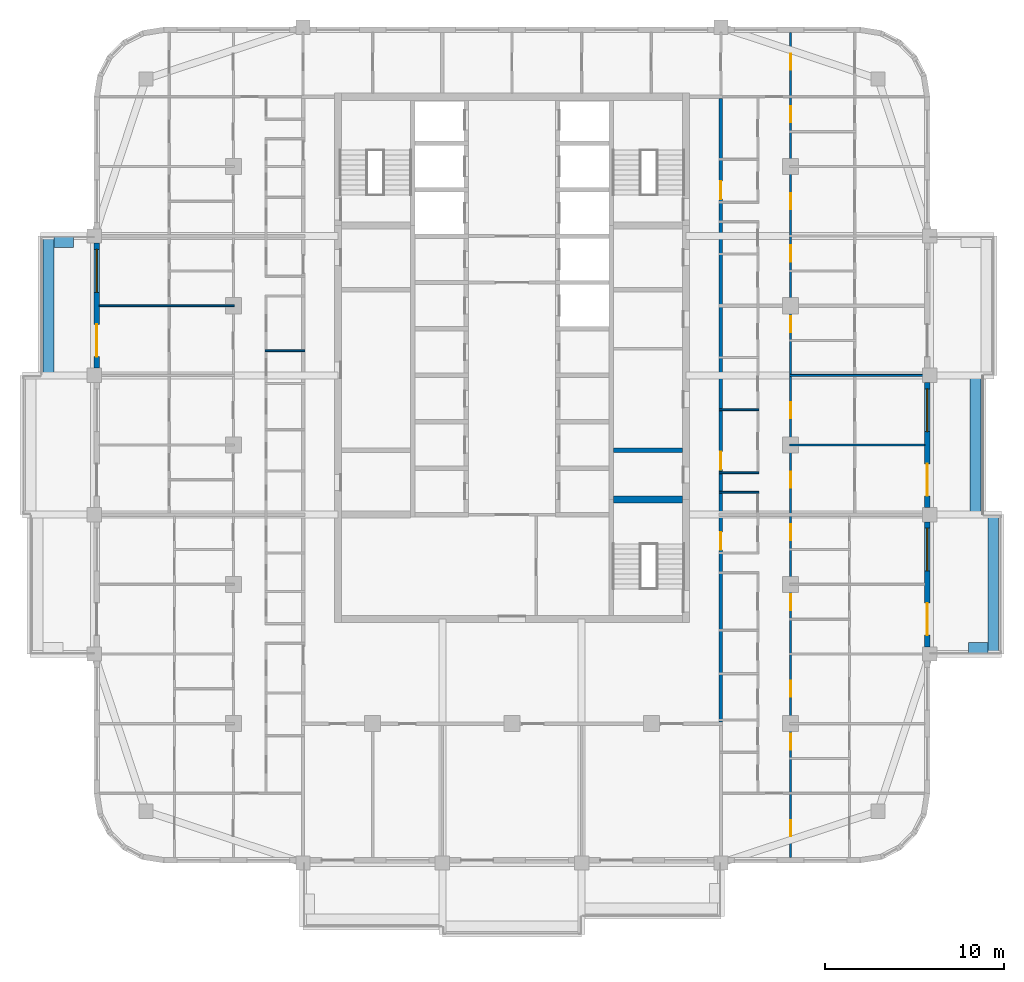
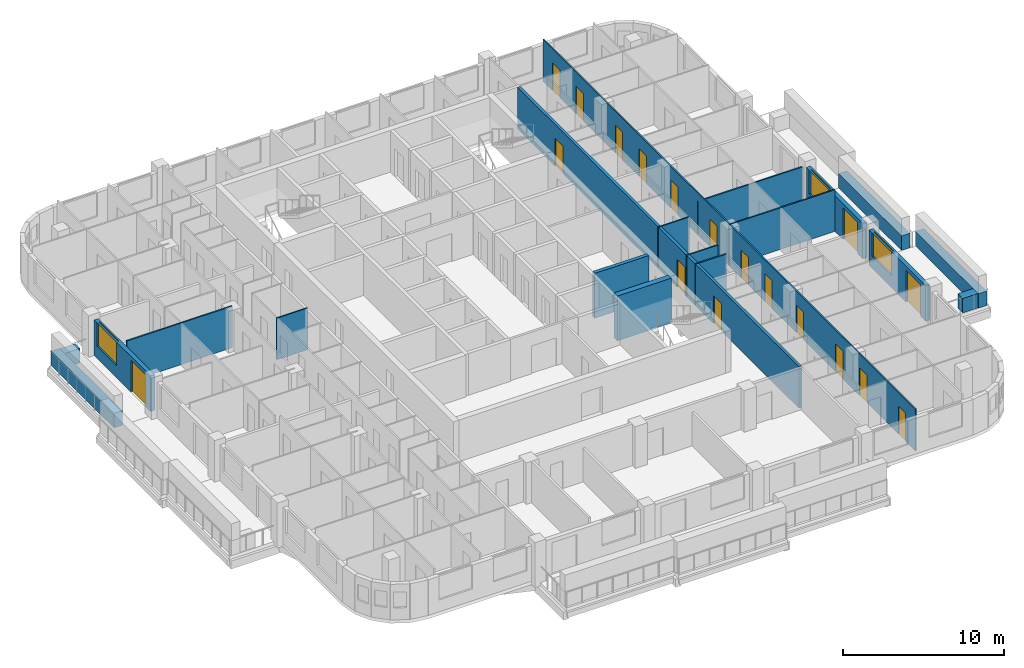
# One storey, part 7 of 16: 19 walls, 18 doors, 3 windows, 21 openings.
"""IFC4 building model written with IfcOpenShell, lengths in metres."""

from ifc_helpers import new_model, si_unit, direction, frame, frame_2d, origin, place, context, subcontext, project, spatial, rectangle, extrude, material, layer, layer_set, type_object, element, fill, save


model = new_model("IFC4")

# Units and contexts
model_context = context("Model", 3, precision=1e-05, world=origin(), true_north=direction((0.0, 1.0)))
body_context = subcontext(model_context, "Body", "Model", "MODEL_VIEW")
ifc_project = project(units=[si_unit("LENGTHUNIT", "METRE"), si_unit("AREAUNIT", "SQUARE_METRE"), si_unit("VOLUMEUNIT", "CUBIC_METRE"), si_unit("PLANEANGLEUNIT", "RADIAN"), si_unit("MASSUNIT", "GRAM", prefix="KILO")], contexts=[model_context])

# Site, building, storey
site_placement = place(None, origin())
site = spatial("IfcSite", under=ifc_project, at=site_placement, CompositionType="ELEMENT")
building_placement = place(site_placement, origin())
building = spatial("IfcBuilding", under=site, at=building_placement, Name="Ludao Terraces", CompositionType="ELEMENT")
storey_placement = place(building_placement, frame((0.0, 0.0, 207.5)))
storey = spatial("IfcBuildingStorey", under=building, at=storey_placement, Name="L56", CompositionType="ELEMENT", Elevation=207.5)

# Walls
ifc_material_1 = material(Name="Concrete C40", Category="concrete")
ifc_layer_1 = layer(ifc_material_1, 0.60009765625)
ifc_layer_set_1 = layer_set([ifc_layer_1], Name="ENV Planter trough 600")
wall_type_1 = type_object("IfcWallType", Name="ENV Planter trough 600", PredefinedType="USERDEFINED", material=ifc_layer_set_1)
wall_1_placement = place(storey_placement, frame((111.949951171875, 53.300048828125, 0.0), z_axis=(0.0, 0.0, 1.0), x_axis=(0.0, 1.0, 0.0)))
element("IfcWall", 1, at=wall_1_placement, inside=storey, type_object=wall_type_1, Name="PL-L56-E1", ObjectType="PLANTER", PredefinedType="USERDEFINED", context=body_context, shape_type="SweptSolid", body=[
    extrude(rectangle(XDim=7.800048828125, YDim=0.60009765625, at=frame_2d((3.89990234375, 0.0))), origin(), (0.0, 0.0, 1.0), 1.10009765625),
])
wall_2_placement = place(storey_placement, frame((111.64990234375, 53.64990234375, 0.0), z_axis=(0.0, 0.0, 1.0), x_axis=(-1.0, 0.0, 0.0)))
element("IfcWall", 2, at=wall_2_placement, inside=storey, type_object=wall_type_1, Name="PL-L56-E1-SA", ObjectType="PLANTER", PredefinedType="USERDEFINED", context=body_context, shape_type="SweptSolid", body=[
    extrude(rectangle(XDim=1.099853515625, YDim=0.60009765625, at=frame_2d((0.5498046875, 0.0))), origin(), (0.0, 0.0, 1.0), 1.10009765625),
])
wall_3_placement = place(storey_placement, frame((110.949951171875, 61.10009765625, 0.0), z_axis=(0.0, 0.0, 1.0), x_axis=(0.0, 1.0, 0.0)))
element("IfcWall", 3, at=wall_3_placement, inside=storey, type_object=wall_type_1, Name="PL-L56-E2", ObjectType="PLANTER", PredefinedType="USERDEFINED", context=body_context, shape_type="SweptSolid", body=[
    extrude(rectangle(XDim=7.7998046875, YDim=0.60009765625, at=frame_2d((3.89990234375, 0.0))), origin(), (0.0, 0.0, 1.0), 1.10009765625),
])
wall_4_placement = place(storey_placement, frame((59.050048828125, 68.89990234375, 0.0), z_axis=(0.0, 0.0, 1.0), x_axis=(0.0, 1.0, 0.0)))
element("IfcWall", 4, at=wall_4_placement, inside=storey, type_object=wall_type_1, Name="PL-L56-W3", ObjectType="PLANTER", PredefinedType="USERDEFINED", context=body_context, shape_type="SweptSolid", body=[
    extrude(rectangle(XDim=7.800048828125, YDim=0.60009765625, at=frame_2d((3.89990234375, 0.0))), origin(), (0.0, 0.0, 1.0), 1.10009765625),
])
wall_5_placement = place(storey_placement, frame((59.35009765625, 76.35009765625, 0.0), z_axis=(0.0, 0.0, 1.0), x_axis=(1.0, 0.0, 0.0)))
element("IfcWall", 5, at=wall_5_placement, inside=storey, type_object=wall_type_1, Name="PL-L56-W3-SB", ObjectType="PLANTER", PredefinedType="USERDEFINED", context=body_context, shape_type="SweptSolid", body=[
    extrude(rectangle(XDim=1.099853515625, YDim=0.60009765625, at=frame_2d((0.5498046875, 0.0))), origin(), (0.0, 0.0, 1.0), 1.10009765625),
])

# Wall, openings, door, window
ifc_material_2 = material(Name="Granite cladding", Category="masonry")
ifc_layer_2 = layer(ifc_material_2, 0.0400390625, Category="stone")
ifc_material_3 = material(Name="Mineral wool")
ifc_layer_3 = layer(ifc_material_3, 0.06005859375)
ifc_layer_4 = layer(ifc_material_1, 0.199951171875, Category="concrete")
ifc_layer_set_2 = layer_set([ifc_layer_2, ifc_layer_3, ifc_layer_4], Name="ENV Stone-clad wall 300")
wall_type_2 = type_object("IfcWallType", Name="ENV Stone-clad wall 300", PredefinedType="SOLIDWALL", material=ifc_layer_set_2)
wall_6_placement = place(storey_placement, frame((108.25, 53.699951171875, 0.0), z_axis=(0.0, 0.0, 1.0), x_axis=(0.0, 1.0, 0.0)))
wall_6 = element("IfcWall", 6, at=wall_6_placement, inside=storey, type_object=wall_type_2, Name="EW-L56-E2", PredefinedType="SOLIDWALL", context=body_context, shape_type="SweptSolid", body=[
    extrude(rectangle(XDim=7.0, YDim=0.300048828125, at=frame_2d((3.5, 0.0))), origin(), (0.0, 0.0, 1.0), 2.699951171875),
])
opening_1_placement = place(wall_6_placement, frame((0.64990234375, 0.0, 0.0)))
opening_1 = element("IfcOpeningElement", 7, at=opening_1_placement, cuts=wall_6, Name="Opening BD", PredefinedType="OPENING", context=body_context, shape_type="SweptSolid", body=[
    extrude(rectangle(XDim=1.800048828125, YDim=2.39990234375, at=frame_2d((0.89990234375, 1.199951171875))), frame((0.0, 0.16015625, 0.0), z_axis=(0.0, -1.0, 0.0), x_axis=(1.0, 0.0, 0.0)), (0.0, 0.0, 1.0), 0.320068359375),
])
opening_2_placement = place(wall_6_placement, frame((4.25, 0.0, 0.89990234375)))
opening_2 = element("IfcOpeningElement", 8, at=opening_2_placement, cuts=wall_6, Name="Opening W1", PredefinedType="OPENING", context=body_context, shape_type="SweptSolid", body=[
    extrude(rectangle(XDim=2.39990234375, YDim=1.800048828125, at=frame_2d((1.199951171875, 0.89990234375))), frame((0.0, 0.16015625, 0.0), z_axis=(0.0, -1.0, 0.0), x_axis=(1.0, 0.0, 0.0)), (0.0, 0.0, 1.0), 0.320068359375),
])
ifc_material_4 = material(Name="Aluminium glazed door", Category="aluminium")
ifc_layer_5 = layer(ifc_material_4, 0.06005859375)
ifc_layer_set_3 = layer_set([ifc_layer_5], Name="ENV Balcony door BD 1800x2400")
door_type_1 = type_object("IfcDoorType", Name="ENV Balcony door BD 1800x2400", OperationType="DOUBLE_DOOR_SINGLE_SWING", PredefinedType="DOOR", material=ifc_layer_set_3)
door_1_placement = place(opening_1_placement, origin())
door_1 = element("IfcDoor", 9, at=door_1_placement, inside=storey, type_object=door_type_1, Name="BD-L56-E2-1", OperationType="DOUBLE_DOOR_SINGLE_SWING", OverallHeight=2.39990234375, OverallWidth=1.800048828125, PredefinedType="DOOR", context=body_context, shape_type="SweptSolid", body=[
    extrude(rectangle(XDim=1.800048828125, YDim=2.39990234375, at=frame_2d((0.89990234375, 1.199951171875))), frame((0.0, 0.02490234375, 0.0), z_axis=(0.0, -1.0, 0.0), x_axis=(1.0, 0.0, 0.0)), (0.0, 0.0, 1.0), 0.050048828125),
])
fill(opening_1, door_1)
ifc_material_5 = material(Name="Clear glass in aluminium frame", Category="aluminium")
ifc_layer_6 = layer(ifc_material_5, 0.06005859375)
ifc_layer_set_4 = layer_set([ifc_layer_6], Name="ENV Window W1 2400x1800")
window_type = type_object("IfcWindowType", Name="ENV Window W1 2400x1800", PartitioningType="DOUBLE_PANEL_VERTICAL", PredefinedType="WINDOW", material=ifc_layer_set_4)
window_1_placement = place(opening_2_placement, origin())
window_1 = element("IfcWindow", 10, at=window_1_placement, inside=storey, type_object=window_type, Name="W-L56-E2-2", OverallHeight=1.800048828125, OverallWidth=2.39990234375, PartitioningType="DOUBLE_PANEL_VERTICAL", PredefinedType="WINDOW", context=body_context, shape_type="SweptSolid", body=[
    extrude(rectangle(XDim=2.39990234375, YDim=1.800048828125, at=frame_2d((1.199951171875, 0.89990234375))), frame((0.0, 0.030029296875, 0.0), z_axis=(0.0, -1.0, 0.0), x_axis=(1.0, 0.0, 0.0)), (0.0, 0.0, 1.0), 0.06005859375),
])
fill(opening_2, window_1)

wall_7_placement = place(storey_placement, frame((108.25, 61.5, 0.0), z_axis=(0.0, 0.0, 1.0), x_axis=(0.0, 1.0, 0.0)))
wall_7 = element("IfcWall", 11, at=wall_7_placement, inside=storey, type_object=wall_type_2, Name="EW-L56-E3", PredefinedType="SOLIDWALL", context=body_context, shape_type="SweptSolid", body=[
    extrude(rectangle(XDim=7.0, YDim=0.300048828125, at=frame_2d((3.5, 0.0))), origin(), (0.0, 0.0, 1.0), 2.699951171875),
])
opening_3_placement = place(wall_7_placement, frame((0.64990234375, 0.0, 0.0)))
opening_3 = element("IfcOpeningElement", 12, at=opening_3_placement, cuts=wall_7, Name="Opening BD", PredefinedType="OPENING", context=body_context, shape_type="SweptSolid", body=[
    extrude(rectangle(XDim=1.800048828125, YDim=2.39990234375, at=frame_2d((0.89990234375, 1.199951171875))), frame((0.0, 0.16015625, 0.0), z_axis=(0.0, -1.0, 0.0), x_axis=(1.0, 0.0, 0.0)), (0.0, 0.0, 1.0), 0.320068359375),
])
opening_4_placement = place(wall_7_placement, frame((4.25, 0.0, 0.89990234375)))
opening_4 = element("IfcOpeningElement", 13, at=opening_4_placement, cuts=wall_7, Name="Opening W1", PredefinedType="OPENING", context=body_context, shape_type="SweptSolid", body=[
    extrude(rectangle(XDim=2.39990234375, YDim=1.800048828125, at=frame_2d((1.199951171875, 0.89990234375))), frame((0.0, 0.16015625, 0.0), z_axis=(0.0, -1.0, 0.0), x_axis=(1.0, 0.0, 0.0)), (0.0, 0.0, 1.0), 0.320068359375),
])
door_2_placement = place(opening_3_placement, origin())
door_2 = element("IfcDoor", 14, at=door_2_placement, inside=storey, type_object=door_type_1, Name="BD-L56-E3-1", OperationType="DOUBLE_DOOR_SINGLE_SWING", OverallHeight=2.39990234375, OverallWidth=1.800048828125, PredefinedType="DOOR", context=body_context, shape_type="SweptSolid", body=[
    extrude(rectangle(XDim=1.800048828125, YDim=2.39990234375, at=frame_2d((0.89990234375, 1.199951171875))), frame((0.0, 0.02490234375, 0.0), z_axis=(0.0, -1.0, 0.0), x_axis=(1.0, 0.0, 0.0)), (0.0, 0.0, 1.0), 0.050048828125),
])
fill(opening_3, door_2)
window_2_placement = place(opening_4_placement, origin())
window_2 = element("IfcWindow", 15, at=window_2_placement, inside=storey, type_object=window_type, Name="W-L56-E3-2", OverallHeight=1.800048828125, OverallWidth=2.39990234375, PartitioningType="DOUBLE_PANEL_VERTICAL", PredefinedType="WINDOW", context=body_context, shape_type="SweptSolid", body=[
    extrude(rectangle(XDim=2.39990234375, YDim=1.800048828125, at=frame_2d((1.199951171875, 0.89990234375))), frame((0.0, 0.030029296875, 0.0), z_axis=(0.0, -1.0, 0.0), x_axis=(1.0, 0.0, 0.0)), (0.0, 0.0, 1.0), 0.06005859375),
])
fill(opening_4, window_2)

wall_8_placement = place(storey_placement, frame((61.75, 69.300048828125, 0.0), z_axis=(0.0, 0.0, 1.0), x_axis=(0.0, 1.0, 0.0)))
wall_8 = element("IfcWall", 16, at=wall_8_placement, inside=storey, type_object=wall_type_2, Name="EW-L56-W4", PredefinedType="SOLIDWALL", context=body_context, shape_type="SweptSolid", body=[
    extrude(rectangle(XDim=7.0, YDim=0.300048828125, at=frame_2d((3.5, 0.0))), origin(), (0.0, 0.0, 1.0), 2.699951171875),
])
opening_5_placement = place(wall_8_placement, frame((0.64990234375, 0.0, 0.0)))
opening_5 = element("IfcOpeningElement", 17, at=opening_5_placement, cuts=wall_8, Name="Opening BD", PredefinedType="OPENING", context=body_context, shape_type="SweptSolid", body=[
    extrude(rectangle(XDim=1.800048828125, YDim=2.39990234375, at=frame_2d((0.89990234375, 1.199951171875))), frame((0.0, 0.16015625, 0.0), z_axis=(0.0, -1.0, 0.0), x_axis=(1.0, 0.0, 0.0)), (0.0, 0.0, 1.0), 0.320068359375),
])
opening_6_placement = place(wall_8_placement, frame((4.25, 0.0, 0.89990234375)))
opening_6 = element("IfcOpeningElement", 18, at=opening_6_placement, cuts=wall_8, Name="Opening W1", PredefinedType="OPENING", context=body_context, shape_type="SweptSolid", body=[
    extrude(rectangle(XDim=2.39990234375, YDim=1.800048828125, at=frame_2d((1.199951171875, 0.89990234375))), frame((0.0, 0.16015625, 0.0), z_axis=(0.0, -1.0, 0.0), x_axis=(1.0, 0.0, 0.0)), (0.0, 0.0, 1.0), 0.320068359375),
])
door_3_placement = place(opening_5_placement, origin())
door_3 = element("IfcDoor", 19, at=door_3_placement, inside=storey, type_object=door_type_1, Name="BD-L56-W4-1", OperationType="DOUBLE_DOOR_SINGLE_SWING", OverallHeight=2.39990234375, OverallWidth=1.800048828125, PredefinedType="DOOR", context=body_context, shape_type="SweptSolid", body=[
    extrude(rectangle(XDim=1.800048828125, YDim=2.39990234375, at=frame_2d((0.89990234375, 1.199951171875))), frame((0.0, 0.02490234375, 0.0), z_axis=(0.0, -1.0, 0.0), x_axis=(1.0, 0.0, 0.0)), (0.0, 0.0, 1.0), 0.050048828125),
])
fill(opening_5, door_3)
window_3_placement = place(opening_6_placement, origin())
window_3 = element("IfcWindow", 20, at=window_3_placement, inside=storey, type_object=window_type, Name="W-L56-W4-2", OverallHeight=1.800048828125, OverallWidth=2.39990234375, PartitioningType="DOUBLE_PANEL_VERTICAL", PredefinedType="WINDOW", context=body_context, shape_type="SweptSolid", body=[
    extrude(rectangle(XDim=2.39990234375, YDim=1.800048828125, at=frame_2d((1.199951171875, 0.89990234375))), frame((0.0, 0.030029296875, 0.0), z_axis=(0.0, -1.0, 0.0), x_axis=(1.0, 0.0, 0.0)), (0.0, 0.0, 1.0), 0.06005859375),
])
fill(opening_6, window_3)

# Wall, openings, doors
ifc_material_6 = material(Name="Autoclaved aerated concrete block B06 A3.5", Category="concrete")
ifc_layer_7 = layer(ifc_material_6, 0.199951171875)
ifc_layer_set_5 = layer_set([ifc_layer_7], Name="INT Entrance wall 200")
wall_type_3 = type_object("IfcWallType", Name="INT Entrance wall 200", PredefinedType="PARTITIONING", material=ifc_layer_set_5)
wall_9_placement = place(storey_placement, frame((96.699951171875, 49.5, 0.0), z_axis=(0.0, 0.0, 1.0), x_axis=(0.0, 1.0, 0.0)))
wall_9 = element("IfcWall", 21, at=wall_9_placement, inside=storey, type_object=wall_type_3, Name="PW-L56-PW090", PredefinedType="PARTITIONING", context=body_context, shape_type="SweptSolid", body=[
    extrude(rectangle(XDim=34.900146484375, YDim=0.199951171875, at=frame_2d((17.4501953125, 0.0))), origin(), (0.0, 0.0, 1.0), 3.14990234375),
])
opening_7_placement = place(wall_9_placement, frame((9.625, 0.0, 0.0)))
opening_7 = element("IfcOpeningElement", 22, at=opening_7_placement, cuts=wall_9, Name="Opening R20-042", PredefinedType="OPENING", context=body_context, shape_type="SweptSolid", body=[
    extrude(rectangle(XDim=1.0, YDim=2.10009765625, at=frame_2d((0.5, 1.050048828125))), frame((0.0, 0.10986328125, 0.0), z_axis=(0.0, -1.0, 0.0), x_axis=(1.0, 0.0, 0.0)), (0.0, 0.0, 1.0), 0.219970703125),
])
opening_8_placement = place(wall_9_placement, frame((14.125, 0.0, 0.0)))
opening_8 = element("IfcOpeningElement", 23, at=opening_8_placement, cuts=wall_9, Name="Opening R20-061", PredefinedType="OPENING", context=body_context, shape_type="SweptSolid", body=[
    extrude(rectangle(XDim=1.0, YDim=2.10009765625, at=frame_2d((0.5, 1.050048828125))), frame((0.0, 0.10986328125, 0.0), z_axis=(0.0, -1.0, 0.0), x_axis=(1.0, 0.0, 0.0)), (0.0, 0.0, 1.0), 0.219970703125),
])
opening_9_placement = place(wall_9_placement, frame((29.275146484375, 0.0, 0.0)))
opening_9 = element("IfcOpeningElement", 24, at=opening_9_placement, cuts=wall_9, Name="Opening R20-113", PredefinedType="OPENING", context=body_context, shape_type="SweptSolid", body=[
    extrude(rectangle(XDim=1.0, YDim=2.10009765625, at=frame_2d((0.5, 1.050048828125))), frame((0.0, 0.10986328125, 0.0), z_axis=(0.0, -1.0, 0.0), x_axis=(1.0, 0.0, 0.0)), (0.0, 0.0, 1.0), 0.219970703125),
])
ifc_material_7 = material(Name="Steel Q235", Category="steel")
door_type_2 = type_object("IfcDoorType", Name="INT Flat entrance door 1000", OperationType="SINGLE_SWING_LEFT", PredefinedType="DOOR", material=ifc_material_7)
door_4_placement = place(opening_7_placement, origin())
door_4 = element("IfcDoor", 25, at=door_4_placement, inside=storey, type_object=door_type_2, Name="DOOR 042", OperationType="SINGLE_SWING_LEFT", OverallHeight=2.10009765625, OverallWidth=1.0, PredefinedType="DOOR", context=body_context, shape_type="SweptSolid", body=[
    extrude(rectangle(XDim=1.0, YDim=2.10009765625, at=frame_2d((0.5, 1.050048828125))), frame((0.0, 0.02490234375, 0.0), z_axis=(0.0, -1.0, 0.0), x_axis=(1.0, 0.0, 0.0)), (0.0, 0.0, 1.0), 0.050048828125),
])
fill(opening_7, door_4)
door_5_placement = place(opening_8_placement, origin())
door_5 = element("IfcDoor", 26, at=door_5_placement, inside=storey, type_object=door_type_2, Name="DOOR 061", OperationType="SINGLE_SWING_LEFT", OverallHeight=2.10009765625, OverallWidth=1.0, PredefinedType="DOOR", context=body_context, shape_type="SweptSolid", body=[
    extrude(rectangle(XDim=1.0, YDim=2.10009765625, at=frame_2d((0.5, 1.050048828125))), frame((0.0, 0.02490234375, 0.0), z_axis=(0.0, -1.0, 0.0), x_axis=(1.0, 0.0, 0.0)), (0.0, 0.0, 1.0), 0.050048828125),
])
fill(opening_8, door_5)
door_6_placement = place(opening_9_placement, origin())
door_6 = element("IfcDoor", 27, at=door_6_placement, inside=storey, type_object=door_type_2, Name="DOOR 113", OperationType="SINGLE_SWING_LEFT", OverallHeight=2.10009765625, OverallWidth=1.0, PredefinedType="DOOR", context=body_context, shape_type="SweptSolid", body=[
    extrude(rectangle(XDim=1.0, YDim=2.10009765625, at=frame_2d((0.5, 1.050048828125))), frame((0.0, 0.02490234375, 0.0), z_axis=(0.0, -1.0, 0.0), x_axis=(1.0, 0.0, 0.0)), (0.0, 0.0, 1.0), 0.050048828125),
])
fill(opening_9, door_6)

# Walls
ifc_material_8 = material(Name="Gypsum plasterboard", Category="gypsum")
ifc_layer_8 = layer(ifc_material_8, 0.012451171875, Category="gypsum")
ifc_layer_9 = layer(ifc_material_3, 0.06005859375, Name="insulation")
ifc_layer_10 = layer(ifc_material_7, 0.014892578125, Name="stud")
ifc_layer_11 = layer(ifc_material_8, 0.012451171875, Category="gypsum")
ifc_layer_set_6 = layer_set([ifc_layer_8, ifc_layer_9, ifc_layer_10, ifc_layer_11], Name="INT Partition 100")
wall_type_4 = type_object("IfcWallType", Name="INT Partition 100", PredefinedType="PARTITIONING", material=ifc_layer_set_6)
for number, where, z_axis, x_axis, name in (
    (28, (96.60009765625, 62.35009765625, 0.0), (0.0, 0.0, 1.0), (1.0, 0.0, 0.0), "PW-L56-PW029"),
    (29, (96.60009765625, 63.449951171875, 0.0), (0.0, 0.0, 1.0), (1.0, 0.0, 0.0), "PW-L56-PW031"),
):
    element("IfcWall", number, at=place(storey_placement, frame(where, z_axis=z_axis, x_axis=x_axis)), inside=storey, type_object=wall_type_4, Name=name, PredefinedType="PARTITIONING", context=body_context, shape_type="SweptSolid", body=[
        extrude(rectangle(XDim=2.219970703125, YDim=0.10009765625, at=frame_2d((1.10986328125, 0.0))), origin(), (0.0, 0.0, 1.0), 3.14990234375),
    ])
wall_10_placement = place(storey_placement, frame((100.550048828125, 65.0, 0.0), z_axis=(0.0, 0.0, 1.0), x_axis=(1.0, 0.0, 0.0)))
element("IfcWall", 30, at=wall_10_placement, inside=storey, type_object=wall_type_4, Name="PW-L56-PW034", PredefinedType="PARTITIONING", context=body_context, shape_type="SweptSolid", body=[
    extrude(rectangle(XDim=7.550048828125, YDim=0.10009765625, at=frame_2d((3.77490234375, 0.0))), origin(), (0.0, 0.0, 1.0), 3.14990234375),
])
wall_11_placement = place(storey_placement, frame((96.60009765625, 66.969970703125, 0.0), z_axis=(0.0, 0.0, 1.0), x_axis=(1.0, 0.0, 0.0)))
element("IfcWall", 31, at=wall_11_placement, inside=storey, type_object=wall_type_4, Name="PW-L56-PW036", PredefinedType="PARTITIONING", context=body_context, shape_type="SweptSolid", body=[
    extrude(rectangle(XDim=2.219970703125, YDim=0.10009765625, at=frame_2d((1.10986328125, 0.0))), origin(), (0.0, 0.0, 1.0), 3.14990234375),
])
wall_12_placement = place(storey_placement, frame((100.550048828125, 68.89990234375, 0.0), z_axis=(0.0, 0.0, 1.0), x_axis=(1.0, 0.0, 0.0)))
element("IfcWall", 32, at=wall_12_placement, inside=storey, type_object=wall_type_4, Name="PW-L56-PW039", PredefinedType="PARTITIONING", context=body_context, shape_type="SweptSolid", body=[
    extrude(rectangle(XDim=7.550048828125, YDim=0.10009765625, at=frame_2d((3.77490234375, 0.0))), origin(), (0.0, 0.0, 1.0), 2.550048828125),
])
wall_13_placement = place(storey_placement, frame((71.18017578125, 70.280029296875, 0.0), z_axis=(0.0, 0.0, 1.0), x_axis=(1.0, 0.0, 0.0)))
element("IfcWall", 33, at=wall_13_placement, inside=storey, type_object=wall_type_4, Name="PW-L56-PW041", PredefinedType="PARTITIONING", context=body_context, shape_type="SweptSolid", body=[
    extrude(rectangle(XDim=2.219970703125, YDim=0.10009765625, at=frame_2d((1.10986328125, 0.0))), origin(), (0.0, 0.0, 1.0), 3.14990234375),
])
wall_14_placement = place(storey_placement, frame((61.900146484375, 72.800048828125, 0.0), z_axis=(0.0, 0.0, 1.0), x_axis=(1.0, 0.0, 0.0)))
element("IfcWall", 34, at=wall_14_placement, inside=storey, type_object=wall_type_4, Name="PW-L56-PW044", PredefinedType="PARTITIONING", context=body_context, shape_type="SweptSolid", body=[
    extrude(rectangle(XDim=7.550048828125, YDim=0.10009765625, at=frame_2d((3.77490234375, 0.0))), origin(), (0.0, 0.0, 1.0), 3.14990234375),
])

# Wall, openings, doors
wall_15_placement = place(storey_placement, frame((100.60009765625, 41.900146484375, 0.0), z_axis=(0.0, 0.0, 1.0), x_axis=(0.0, 1.0, 0.0)))
wall_15 = element("IfcWall", 35, at=wall_15_placement, inside=storey, type_object=wall_type_4, Name="PW-L56-PW096", PredefinedType="PARTITIONING", context=body_context, shape_type="SweptSolid", body=[
    extrude(rectangle(XDim=46.199951171875, YDim=0.10009765625, at=frame_2d((23.10009765625, 0.0))), origin(), (0.0, 0.0, 1.0), 3.14990234375),
])
opening_10_placement = place(wall_15_placement, frame((1.199951171875, 0.0, 0.0)))
opening_10 = element("IfcOpeningElement", 36, at=opening_10_placement, cuts=wall_15, Name="Opening R20-003", PredefinedType="OPENING", context=body_context, shape_type="SweptSolid", body=[
    extrude(rectangle(XDim=0.89990234375, YDim=2.10009765625, at=frame_2d((0.449951171875, 1.050048828125))), frame((0.0, 0.06005859375, 0.0), z_axis=(0.0, -1.0, 0.0), x_axis=(1.0, 0.0, 0.0)), (0.0, 0.0, 1.0), 0.1201171875),
])
opening_11_placement = place(wall_15_placement, frame((6.02490234375, 0.0, 0.0)))
opening_11 = element("IfcOpeningElement", 37, at=opening_11_placement, cuts=wall_15, Name="Opening R20-012", PredefinedType="OPENING", context=body_context, shape_type="SweptSolid", body=[
    extrude(rectangle(XDim=0.89990234375, YDim=2.10009765625, at=frame_2d((0.449951171875, 1.050048828125))), frame((0.0, 0.06005859375, 0.0), z_axis=(0.0, -1.0, 0.0), x_axis=(1.0, 0.0, 0.0)), (0.0, 0.0, 1.0), 0.1201171875),
])
opening_12_placement = place(wall_15_placement, frame((9.0, 0.0, 0.0)))
opening_12 = element("IfcOpeningElement", 38, at=opening_12_placement, cuts=wall_15, Name="Opening R20-022", PredefinedType="OPENING", context=body_context, shape_type="SweptSolid", body=[
    extrude(rectangle(XDim=0.89990234375, YDim=2.10009765625, at=frame_2d((0.449951171875, 1.050048828125))), frame((0.0, 0.06005859375, 0.0), z_axis=(0.0, -1.0, 0.0), x_axis=(1.0, 0.0, 0.0)), (0.0, 0.0, 1.0), 0.1201171875),
])
opening_13_placement = place(wall_15_placement, frame((13.85009765625, 0.0, 0.0)))
opening_13 = element("IfcOpeningElement", 39, at=opening_13_placement, cuts=wall_15, Name="Opening R20-034", PredefinedType="OPENING", context=body_context, shape_type="SweptSolid", body=[
    extrude(rectangle(XDim=0.89990234375, YDim=2.10009765625, at=frame_2d((0.449951171875, 1.050048828125))), frame((0.0, 0.06005859375, 0.0), z_axis=(0.0, -1.0, 0.0), x_axis=(1.0, 0.0, 0.0)), (0.0, 0.0, 1.0), 0.1201171875),
])
opening_14_placement = place(wall_15_placement, frame((17.77490234375, 0.0, 0.0)))
opening_14 = element("IfcOpeningElement", 40, at=opening_14_placement, cuts=wall_15, Name="Opening R20-047", PredefinedType="OPENING", context=body_context, shape_type="SweptSolid", body=[
    extrude(rectangle(XDim=0.89990234375, YDim=2.10009765625, at=frame_2d((0.449951171875, 1.050048828125))), frame((0.0, 0.06005859375, 0.0), z_axis=(0.0, -1.0, 0.0), x_axis=(1.0, 0.0, 0.0)), (0.0, 0.0, 1.0), 0.1201171875),
])
opening_15_placement = place(wall_15_placement, frame((20.699951171875, 0.0, 0.0)))
opening_15 = element("IfcOpeningElement", 41, at=opening_15_placement, cuts=wall_15, Name="Opening R20-056", PredefinedType="OPENING", context=body_context, shape_type="SweptSolid", body=[
    extrude(rectangle(XDim=0.89990234375, YDim=2.10009765625, at=frame_2d((0.449951171875, 1.050048828125))), frame((0.0, 0.06005859375, 0.0), z_axis=(0.0, -1.0, 0.0), x_axis=(1.0, 0.0, 0.0)), (0.0, 0.0, 1.0), 0.1201171875),
])
opening_16_placement = place(wall_15_placement, frame((24.60009765625, 0.0, 0.0)))
opening_16 = element("IfcOpeningElement", 42, at=opening_16_placement, cuts=wall_15, Name="Opening R20-068", PredefinedType="OPENING", context=body_context, shape_type="SweptSolid", body=[
    extrude(rectangle(XDim=0.89990234375, YDim=2.10009765625, at=frame_2d((0.449951171875, 1.050048828125))), frame((0.0, 0.06005859375, 0.0), z_axis=(0.0, -1.0, 0.0), x_axis=(1.0, 0.0, 0.0)), (0.0, 0.0, 1.0), 0.1201171875),
])
opening_17_placement = place(wall_15_placement, frame((29.425048828125, 0.0, 0.0)))
opening_17 = element("IfcOpeningElement", 43, at=opening_17_placement, cuts=wall_15, Name="Opening R20-083", PredefinedType="OPENING", context=body_context, shape_type="SweptSolid", body=[
    extrude(rectangle(XDim=0.89990234375, YDim=2.10009765625, at=frame_2d((0.449951171875, 1.050048828125))), frame((0.0, 0.06005859375, 0.0), z_axis=(0.0, -1.0, 0.0), x_axis=(1.0, 0.0, 0.0)), (0.0, 0.0, 1.0), 0.1201171875),
])
opening_18_placement = place(wall_15_placement, frame((33.375, 0.0, 0.0)))
opening_18 = element("IfcOpeningElement", 44, at=opening_18_placement, cuts=wall_15, Name="Opening R20-101", PredefinedType="OPENING", context=body_context, shape_type="SweptSolid", body=[
    extrude(rectangle(XDim=0.89990234375, YDim=2.10009765625, at=frame_2d((0.449951171875, 1.050048828125))), frame((0.0, 0.06005859375, 0.0), z_axis=(0.0, -1.0, 0.0), x_axis=(1.0, 0.0, 0.0)), (0.0, 0.0, 1.0), 0.1201171875),
])
opening_19_placement = place(wall_15_placement, frame((36.300048828125, 0.0, 0.0)))
opening_19 = element("IfcOpeningElement", 45, at=opening_19_placement, cuts=wall_15, Name="Opening R20-111", PredefinedType="OPENING", context=body_context, shape_type="SweptSolid", body=[
    extrude(rectangle(XDim=0.89990234375, YDim=2.10009765625, at=frame_2d((0.449951171875, 1.050048828125))), frame((0.0, 0.06005859375, 0.0), z_axis=(0.0, -1.0, 0.0), x_axis=(1.0, 0.0, 0.0)), (0.0, 0.0, 1.0), 0.1201171875),
])
opening_20_placement = place(wall_15_placement, frame((41.175048828125, 0.0, 0.0)))
opening_20 = element("IfcOpeningElement", 46, at=opening_20_placement, cuts=wall_15, Name="Opening R20-128", PredefinedType="OPENING", context=body_context, shape_type="SweptSolid", body=[
    extrude(rectangle(XDim=0.89990234375, YDim=2.10009765625, at=frame_2d((0.449951171875, 1.050048828125))), frame((0.0, 0.06005859375, 0.0), z_axis=(0.0, -1.0, 0.0), x_axis=(1.0, 0.0, 0.0)), (0.0, 0.0, 1.0), 0.1201171875),
])
opening_21_placement = place(wall_15_placement, frame((44.10009765625, 0.0, 0.0)))
opening_21 = element("IfcOpeningElement", 47, at=opening_21_placement, cuts=wall_15, Name="Opening R20-141", PredefinedType="OPENING", context=body_context, shape_type="SweptSolid", body=[
    extrude(rectangle(XDim=0.89990234375, YDim=2.10009765625, at=frame_2d((0.449951171875, 1.050048828125))), frame((0.0, 0.06005859375, 0.0), z_axis=(0.0, -1.0, 0.0), x_axis=(1.0, 0.0, 0.0)), (0.0, 0.0, 1.0), 0.1201171875),
])
ifc_material_9 = material(Name="Timber door leaf", Category="wood")
door_type_3 = type_object("IfcDoorType", Name="INT Room door 900", OperationType="SINGLE_SWING_LEFT", PredefinedType="DOOR", material=ifc_material_9)
door_7_placement = place(opening_10_placement, origin())
door_7 = element("IfcDoor", 48, at=door_7_placement, inside=storey, type_object=door_type_3, Name="DOOR 003", OperationType="SINGLE_SWING_RIGHT", OverallHeight=2.10009765625, OverallWidth=0.89990234375, PredefinedType="DOOR", context=body_context, shape_type="SweptSolid", body=[
    extrude(rectangle(XDim=0.89990234375, YDim=2.10009765625, at=frame_2d((0.449951171875, 1.050048828125))), frame((0.0, 0.02490234375, 0.0), z_axis=(0.0, -1.0, 0.0), x_axis=(1.0, 0.0, 0.0)), (0.0, 0.0, 1.0), 0.050048828125),
])
fill(opening_10, door_7)
door_8_placement = place(opening_11_placement, origin())
door_8 = element("IfcDoor", 49, at=door_8_placement, inside=storey, type_object=door_type_3, Name="DOOR 012", OperationType="SINGLE_SWING_RIGHT", OverallHeight=2.10009765625, OverallWidth=0.89990234375, PredefinedType="DOOR", context=body_context, shape_type="SweptSolid", body=[
    extrude(rectangle(XDim=0.89990234375, YDim=2.10009765625, at=frame_2d((0.449951171875, 1.050048828125))), frame((0.0, 0.02490234375, 0.0), z_axis=(0.0, -1.0, 0.0), x_axis=(1.0, 0.0, 0.0)), (0.0, 0.0, 1.0), 0.050048828125),
])
fill(opening_11, door_8)
door_9_placement = place(opening_12_placement, origin())
door_9 = element("IfcDoor", 50, at=door_9_placement, inside=storey, type_object=door_type_3, Name="DOOR 022", OperationType="SINGLE_SWING_RIGHT", OverallHeight=2.10009765625, OverallWidth=0.89990234375, PredefinedType="DOOR", context=body_context, shape_type="SweptSolid", body=[
    extrude(rectangle(XDim=0.89990234375, YDim=2.10009765625, at=frame_2d((0.449951171875, 1.050048828125))), frame((0.0, 0.02490234375, 0.0), z_axis=(0.0, -1.0, 0.0), x_axis=(1.0, 0.0, 0.0)), (0.0, 0.0, 1.0), 0.050048828125),
])
fill(opening_12, door_9)
door_10_placement = place(opening_13_placement, origin())
door_10 = element("IfcDoor", 51, at=door_10_placement, inside=storey, type_object=door_type_3, Name="DOOR 034", OperationType="SINGLE_SWING_RIGHT", OverallHeight=2.10009765625, OverallWidth=0.89990234375, PredefinedType="DOOR", context=body_context, shape_type="SweptSolid", body=[
    extrude(rectangle(XDim=0.89990234375, YDim=2.10009765625, at=frame_2d((0.449951171875, 1.050048828125))), frame((0.0, 0.02490234375, 0.0), z_axis=(0.0, -1.0, 0.0), x_axis=(1.0, 0.0, 0.0)), (0.0, 0.0, 1.0), 0.050048828125),
])
fill(opening_13, door_10)
door_11_placement = place(opening_14_placement, origin())
door_11 = element("IfcDoor", 52, at=door_11_placement, inside=storey, type_object=door_type_3, Name="DOOR 047", OperationType="SINGLE_SWING_LEFT", OverallHeight=2.10009765625, OverallWidth=0.89990234375, PredefinedType="DOOR", context=body_context, shape_type="SweptSolid", body=[
    extrude(rectangle(XDim=0.89990234375, YDim=2.10009765625, at=frame_2d((0.449951171875, 1.050048828125))), frame((0.0, 0.02490234375, 0.0), z_axis=(0.0, -1.0, 0.0), x_axis=(1.0, 0.0, 0.0)), (0.0, 0.0, 1.0), 0.050048828125),
])
fill(opening_14, door_11)
door_12_placement = place(opening_15_placement, origin())
door_12 = element("IfcDoor", 53, at=door_12_placement, inside=storey, type_object=door_type_3, Name="DOOR 056", OperationType="SINGLE_SWING_RIGHT", OverallHeight=2.10009765625, OverallWidth=0.89990234375, PredefinedType="DOOR", context=body_context, shape_type="SweptSolid", body=[
    extrude(rectangle(XDim=0.89990234375, YDim=2.10009765625, at=frame_2d((0.449951171875, 1.050048828125))), frame((0.0, 0.02490234375, 0.0), z_axis=(0.0, -1.0, 0.0), x_axis=(1.0, 0.0, 0.0)), (0.0, 0.0, 1.0), 0.050048828125),
])
fill(opening_15, door_12)
door_13_placement = place(opening_16_placement, origin())
door_13 = element("IfcDoor", 54, at=door_13_placement, inside=storey, type_object=door_type_3, Name="DOOR 068", OperationType="SINGLE_SWING_LEFT", OverallHeight=2.10009765625, OverallWidth=0.89990234375, PredefinedType="DOOR", context=body_context, shape_type="SweptSolid", body=[
    extrude(rectangle(XDim=0.89990234375, YDim=2.10009765625, at=frame_2d((0.449951171875, 1.050048828125))), frame((0.0, 0.02490234375, 0.0), z_axis=(0.0, -1.0, 0.0), x_axis=(1.0, 0.0, 0.0)), (0.0, 0.0, 1.0), 0.050048828125),
])
fill(opening_16, door_13)
door_14_placement = place(opening_17_placement, origin())
door_14 = element("IfcDoor", 55, at=door_14_placement, inside=storey, type_object=door_type_3, Name="DOOR 083", OperationType="SINGLE_SWING_RIGHT", OverallHeight=2.10009765625, OverallWidth=0.89990234375, PredefinedType="DOOR", context=body_context, shape_type="SweptSolid", body=[
    extrude(rectangle(XDim=0.89990234375, YDim=2.10009765625, at=frame_2d((0.449951171875, 1.050048828125))), frame((0.0, 0.02490234375, 0.0), z_axis=(0.0, -1.0, 0.0), x_axis=(1.0, 0.0, 0.0)), (0.0, 0.0, 1.0), 0.050048828125),
])
fill(opening_17, door_14)
door_15_placement = place(opening_18_placement, origin())
door_15 = element("IfcDoor", 56, at=door_15_placement, inside=storey, type_object=door_type_3, Name="DOOR 101", OperationType="SINGLE_SWING_RIGHT", OverallHeight=2.10009765625, OverallWidth=0.89990234375, PredefinedType="DOOR", context=body_context, shape_type="SweptSolid", body=[
    extrude(rectangle(XDim=0.89990234375, YDim=2.10009765625, at=frame_2d((0.449951171875, 1.050048828125))), frame((0.0, 0.02490234375, 0.0), z_axis=(0.0, -1.0, 0.0), x_axis=(1.0, 0.0, 0.0)), (0.0, 0.0, 1.0), 0.050048828125),
])
fill(opening_18, door_15)
door_16_placement = place(opening_19_placement, origin())
door_16 = element("IfcDoor", 57, at=door_16_placement, inside=storey, type_object=door_type_3, Name="DOOR 111", OperationType="SINGLE_SWING_RIGHT", OverallHeight=2.10009765625, OverallWidth=0.89990234375, PredefinedType="DOOR", context=body_context, shape_type="SweptSolid", body=[
    extrude(rectangle(XDim=0.89990234375, YDim=2.10009765625, at=frame_2d((0.449951171875, 1.050048828125))), frame((0.0, 0.02490234375, 0.0), z_axis=(0.0, -1.0, 0.0), x_axis=(1.0, 0.0, 0.0)), (0.0, 0.0, 1.0), 0.050048828125),
])
fill(opening_19, door_16)
door_17_placement = place(opening_20_placement, origin())
door_17 = element("IfcDoor", 58, at=door_17_placement, inside=storey, type_object=door_type_3, Name="DOOR 128", OperationType="SINGLE_SWING_RIGHT", OverallHeight=2.10009765625, OverallWidth=0.89990234375, PredefinedType="DOOR", context=body_context, shape_type="SweptSolid", body=[
    extrude(rectangle(XDim=0.89990234375, YDim=2.10009765625, at=frame_2d((0.449951171875, 1.050048828125))), frame((0.0, 0.02490234375, 0.0), z_axis=(0.0, -1.0, 0.0), x_axis=(1.0, 0.0, 0.0)), (0.0, 0.0, 1.0), 0.050048828125),
])
fill(opening_20, door_17)
door_18_placement = place(opening_21_placement, origin())
door_18 = element("IfcDoor", 59, at=door_18_placement, inside=storey, type_object=door_type_3, Name="DOOR 141", OperationType="SINGLE_SWING_LEFT", OverallHeight=2.10009765625, OverallWidth=0.89990234375, PredefinedType="DOOR", context=body_context, shape_type="SweptSolid", body=[
    extrude(rectangle(XDim=0.89990234375, YDim=2.10009765625, at=frame_2d((0.449951171875, 1.050048828125))), frame((0.0, 0.02490234375, 0.0), z_axis=(0.0, -1.0, 0.0), x_axis=(1.0, 0.0, 0.0)), (0.0, 0.0, 1.0), 0.050048828125),
])
fill(opening_21, door_18)

# Walls
ifc_material_10 = material(Name="Concrete C50", Category="concrete")
ifc_layer_12 = layer(ifc_material_10, 0.25)
ifc_layer_set_7 = layer_set([ifc_layer_12], Name="Shaft wall 250 C50")
wall_type_5 = type_object("IfcWallType", Name="Shaft wall 250 C50", PredefinedType="SOLIDWALL", material=ifc_layer_set_7)
wall_16_placement = place(storey_placement, frame((90.675048828125, 64.699951171875, -0.25), z_axis=(0.0, 0.0, 1.0), x_axis=(1.0, 0.0, 0.0)))
element("IfcWall", 60, at=wall_16_placement, inside=storey, type_object=wall_type_5, Name="Core wall L56 riser-a-E", PredefinedType="SOLIDWALL", context=body_context, shape_type="SweptSolid", body=[
    extrude(rectangle(XDim=3.875, YDim=0.25, at=frame_2d((1.9375, 0.0))), origin(), (0.0, 0.0, 1.0), 3.39990234375),
])
ifc_layer_13 = layer(ifc_material_10, 0.39990234375)
ifc_layer_set_8 = layer_set([ifc_layer_13], Name="Shaft wall 400 C50")
wall_type_6 = type_object("IfcWallType", Name="Shaft wall 400 C50", PredefinedType="SOLIDWALL", material=ifc_layer_set_8)
wall_17_placement = place(storey_placement, frame((90.675048828125, 61.949951171875, -0.25), z_axis=(0.0, 0.0, 1.0), x_axis=(1.0, 0.0, 0.0)))
element("IfcWall", 61, at=wall_17_placement, inside=storey, type_object=wall_type_6, Name="Core wall L56 hall-E", PredefinedType="SOLIDWALL", context=body_context, shape_type="SweptSolid", body=[
    extrude(rectangle(XDim=3.875, YDim=0.39990234375, at=frame_2d((1.9375, 0.0))), origin(), (0.0, 0.0, 1.0), 3.39990234375),
])

save(model, "model.ifc")
